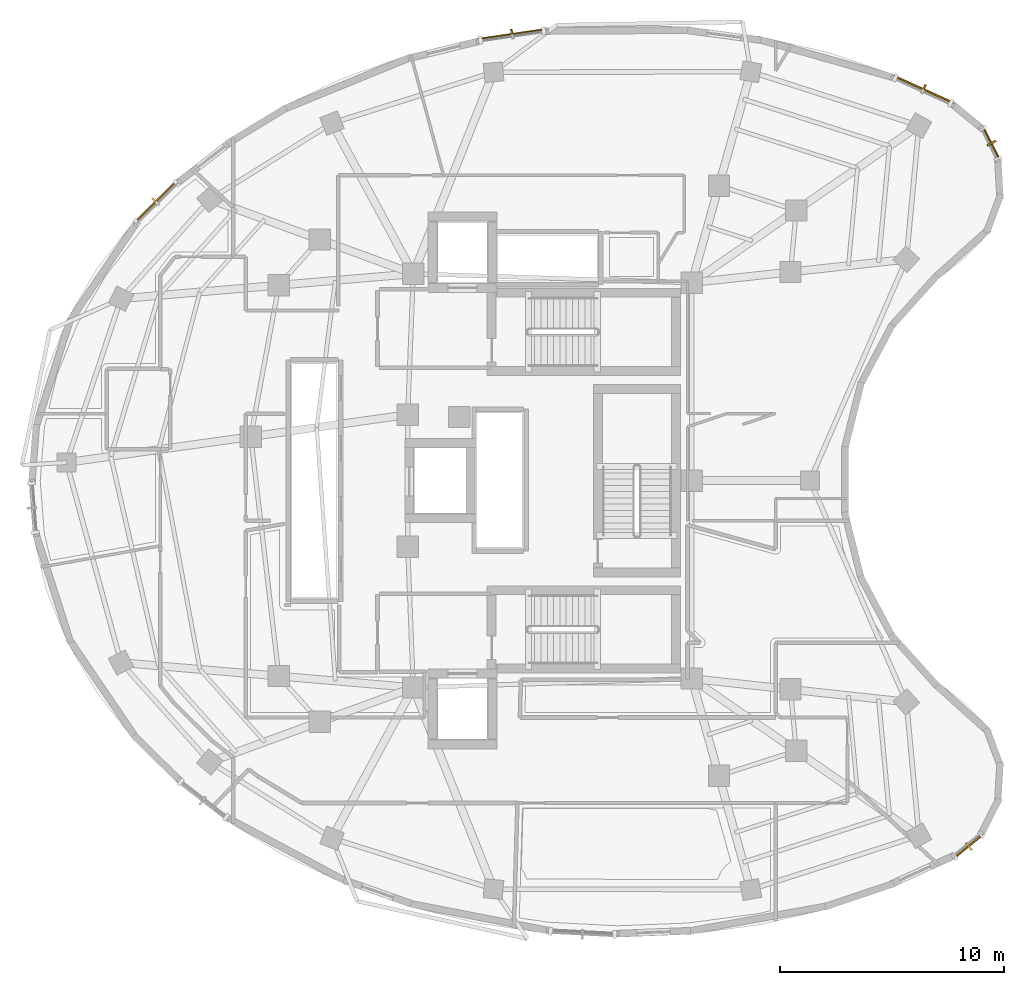
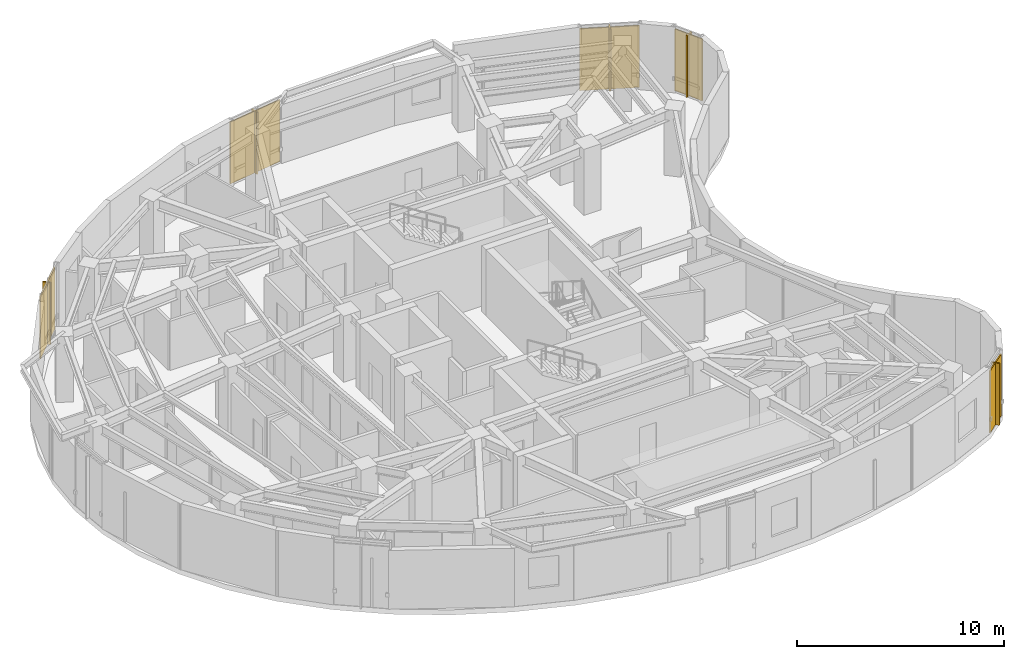
# One storey, part 13 of 13: 10 shading devices.
"""IFC4 building model written with IfcOpenShell, lengths in metres."""

from ifc_helpers import new_model, si_unit, direction, frame, origin, origin_2d, place, context, subcontext, project, spatial, rectangle, extrude, material, layer, layer_set, type_object, element, save


model = new_model("IFC4")

# Units and contexts
model_context = context("Model", 3, precision=1e-05, world=origin(), true_north=direction((0.0, 1.0)))
body_context = subcontext(model_context, "Body", "Model", "MODEL_VIEW")
ifc_project = project(units=[si_unit("LENGTHUNIT", "METRE"), si_unit("AREAUNIT", "SQUARE_METRE"), si_unit("VOLUMEUNIT", "CUBIC_METRE"), si_unit("PLANEANGLEUNIT", "RADIAN"), si_unit("MASSUNIT", "GRAM", prefix="KILO")], contexts=[model_context])

# Site, building, storey
site_placement = place(None, origin())
site = spatial("IfcSite", under=ifc_project, at=site_placement, CompositionType="ELEMENT")
building_placement = place(site_placement, origin())
building = spatial("IfcBuilding", under=site, at=building_placement, Name="Korentha Bioscience Tower", CompositionType="ELEMENT")
storey_placement = place(building_placement, frame((0.0, 0.0, 260.39990234375)))
storey = spatial("IfcBuildingStorey", under=building, at=storey_placement, Name="L60", CompositionType="ELEMENT", Elevation=260.39990234375)

# Shading devices
ifc_material_1 = material(Name="Perforated Stone-Ceramic Composite", Category="masonry")
ifc_layer_1 = layer(ifc_material_1, 0.06494140625, Name="Perforated Stone-Ceramic Composite")
ifc_layer_set_1 = layer_set([ifc_layer_1], Name="Perforated Stone-Ceramic Composite (CS-01)")
shading_device_type_1 = type_object("IfcShadingDeviceType", Name="Perforated Stone-Ceramic Solar Screen Panel 65", PredefinedType="USERDEFINED", material=ifc_layer_set_1)
shading_device_1_placement = place(storey_placement, frame((47.91162109375, 44.492919921875, 0.000244140625), z_axis=(0.0, 0.0, 1.0), x_axis=(-0.910604060449, 0.413279862918, 0.0)))
element("IfcShadingDevice", 1, at=shading_device_1_placement, inside=storey, type_object=shading_device_type_1, Name="CW-L60-01 Perforated Stone-Ceramic Solar Screen", ObjectType="SCREEN", PredefinedType="USERDEFINED", context=body_context, shape_type="SweptSolid", body=[
    extrude(rectangle(XDim=2.917236328125, YDim=0.06494140625, at=origin_2d()), origin(), (0.0, 0.0, 1.0), 3.64990234375),
])
shading_device_2_placement = place(storey_placement, frame((29.514404296875, 46.958251953125, 0.000244140625), z_axis=(0.0, 0.0, 1.0), x_axis=(-0.989459665324, -0.144808738328, 0.0)))
element("IfcShadingDevice", 2, at=shading_device_2_placement, inside=storey, type_object=shading_device_type_1, Name="CW-L60-07 Perforated Stone-Ceramic Solar Screen", ObjectType="SCREEN", PredefinedType="USERDEFINED", context=body_context, shape_type="SweptSolid", body=[
    extrude(rectangle(XDim=3.067626953125, YDim=0.06494140625, at=origin_2d()), origin(), (0.0, 0.0, 1.0), 3.64990234375),
])
shading_device_3_placement = place(storey_placement, frame((13.586181640625, 39.4716796875, 0.000244140625), z_axis=(0.0, 0.0, 1.0), x_axis=(-0.711397700041, -0.702789664392, 0.0)))
element("IfcShadingDevice", 3, at=shading_device_3_placement, inside=storey, type_object=shading_device_type_1, Name="CW-L60-13 Perforated Stone-Ceramic Solar Screen", ObjectType="SCREEN", PredefinedType="USERDEFINED", context=body_context, shape_type="SweptSolid", body=[
    extrude(rectangle(XDim=2.654541015625, YDim=0.06494140625, at=origin_2d()), origin(), (0.0, 0.0, 1.0), 3.64990234375),
])
shading_device_4_placement = place(storey_placement, frame((49.923095703125, 10.65478515625, 0.000244140625), z_axis=(0.0, 0.0, 1.0), x_axis=(0.774235415138, 0.632897718393, 0.0)))
element("IfcShadingDevice", 4, at=shading_device_4_placement, inside=storey, type_object=shading_device_type_1, Name="CW-L60-37 Perforated Stone-Ceramic Solar Screen", ObjectType="SCREEN", PredefinedType="USERDEFINED", context=body_context, shape_type="SweptSolid", body=[
    extrude(rectangle(XDim=1.581787109375, YDim=0.06494140625, at=origin_2d()), origin(), (0.0, 0.0, 1.0), 3.64990234375),
])
shading_device_5_placement = place(storey_placement, frame((50.940673828125, 42.083251953125, 0.000244140625), z_axis=(0.0, 0.0, 1.0), x_axis=(-0.454238686477, 0.890880023184, 0.0)))
element("IfcShadingDevice", 5, at=shading_device_5_placement, inside=storey, type_object=shading_device_type_1, Name="CW-L60-61 Perforated Stone-Ceramic Solar Screen", ObjectType="SCREEN", PredefinedType="USERDEFINED", context=body_context, shape_type="SweptSolid", body=[
    extrude(rectangle(XDim=1.58154296875, YDim=0.06494140625, at=origin_2d()), origin(), (0.0, 0.0, 1.0), 3.64990234375),
])
ifc_material_2 = material(Name="Honed Travertine Limestone", Category="masonry")
ifc_layer_2 = layer(ifc_material_2, 0.080078125, Name="Honed Travertine Limestone")
ifc_layer_set_2 = layer_set([ifc_layer_2], Name="Honed Travertine Limestone (CS-02)")
shading_device_type_2 = type_object("IfcShadingDeviceType", Name="Vertical Honed Limestone Sunshade Fin 80x420", PredefinedType="USERDEFINED", material=ifc_layer_set_2)
for number, where, z_axis, x_axis, name in (
    (6, (47.919921875, 44.510986328125, 0.000244140625), (0.0, 0.0, 1.0), (-0.910604060449, 0.413279862918, 0.0), "CW-L60-01 Limestone Sunshade Fin"),
    (7, (29.511474609375, 46.97802734375, 0.000244140625), (0.0, 0.0, 1.0), (-0.989459665324, -0.144808738328, 0.0), "CW-L60-07 Limestone Sunshade Fin"),
    (8, (13.572265625, 39.48583984375, 0.000244140625), (0.0, 0.0, 1.0), (-0.711397700041, -0.702789664392, 0.0), "CW-L60-13 Limestone Sunshade Fin"),
    (9, (49.935791015625, 10.63916015625, 0.000244140625), (0.0, 0.0, 1.0), (0.774235415138, 0.632897718393, 0.0), "CW-L60-37 Limestone Sunshade Fin"),
    (10, (50.95849609375, 42.09228515625, 0.000244140625), (0.0, 0.0, 1.0), (-0.454238686477, 0.890880023184, 0.0), "CW-L60-61 Limestone Sunshade Fin"),
):
    element("IfcShadingDevice", number, at=place(storey_placement, frame(where, z_axis=z_axis, x_axis=x_axis)), inside=storey, type_object=shading_device_type_2, Name=name, ObjectType="SCREEN", PredefinedType="USERDEFINED", context=body_context, shape_type="SweptSolid", body=[
        extrude(rectangle(XDim=0.080078125, YDim=0.419921875, at=origin_2d()), origin(), (0.0, 0.0, 1.0), 3.64990234375),
    ])

save(model, "model.ifc")
